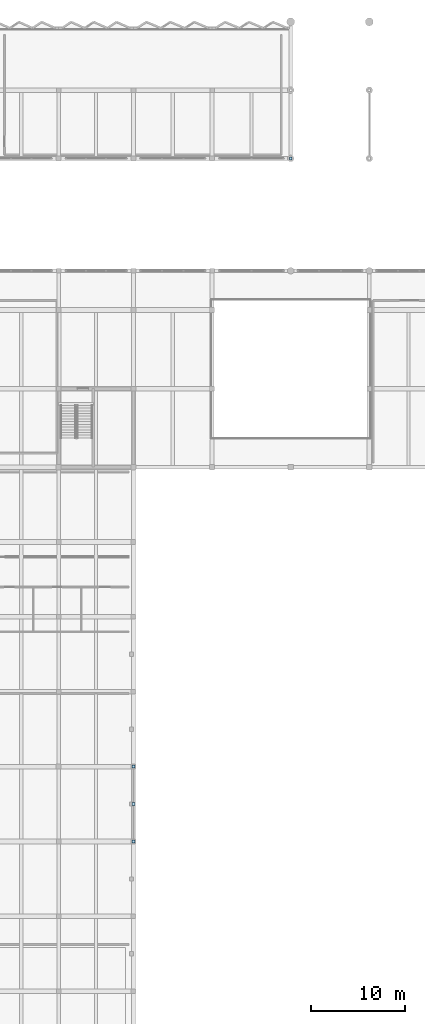
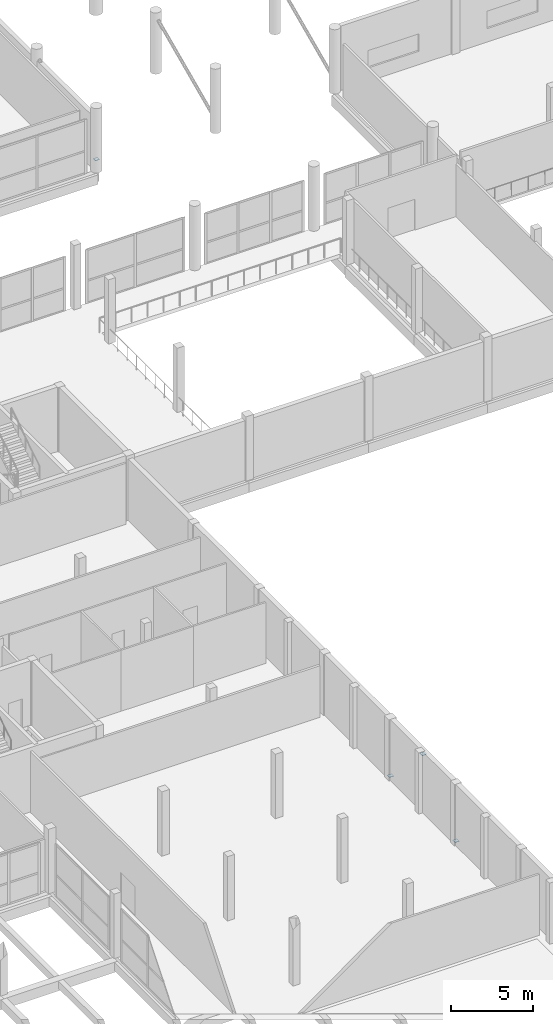
# One storey, part 30 of 47: 4 plates.
"""IFC4 building model written with IfcOpenShell, lengths in metres."""

from ifc_helpers import new_model, si_unit, direction, frame, origin, origin_2d, place, context, subcontext, project, spatial, rectangle, extrude, material, layer, layer_set, type_object, element, save


model = new_model("IFC4")

# Units and contexts
model_context = context("Model", 3, precision=1e-05, world=origin(), true_north=direction((0.0, 1.0)))
body_context = subcontext(model_context, "Body", "Model", "MODEL_VIEW")
ifc_project = project(units=[si_unit("LENGTHUNIT", "METRE"), si_unit("AREAUNIT", "SQUARE_METRE"), si_unit("VOLUMEUNIT", "CUBIC_METRE"), si_unit("PLANEANGLEUNIT", "RADIAN"), si_unit("MASSUNIT", "GRAM", prefix="KILO")], contexts=[model_context])

# Site, building, storey
site_placement = place(None, origin())
site = spatial("IfcSite", under=ifc_project, at=site_placement, CompositionType="ELEMENT")
building_placement = place(site_placement, origin())
building = spatial("IfcBuilding", under=site, at=building_placement, Name="Vharandega Faculty of Natural Sciences", CompositionType="ELEMENT")
storey_placement = place(building_placement, frame((0.0, 0.0, 5.39990234375)))
storey = spatial("IfcBuildingStorey", under=building, at=storey_placement, Name="L01", CompositionType="ELEMENT", Elevation=5.39990234375)

# Plates
ifc_material = material(Name="Steel S355", Category="steel")
ifc_layer = layer(ifc_material, 0.02490234375, Name="Steel S355")
ifc_layer_set = layer_set([ifc_layer], Name="Steel S355")
plate_type = type_object("IfcPlateType", Name="Hollow Section End Cap Plate 25mm", PredefinedType="USERDEFINED", material=ifc_layer_set)
plate_1_placement = place(storey_placement, frame((56.0, 24.0, 0.1376953125), z_axis=(0.0, 0.0, 1.0), x_axis=(1.0, 0.0, 0.0)))
element("IfcPlate", 1, at=plate_1_placement, inside=storey, type_object=plate_type, Name="Node Cap Plate CHV-E8-L01 #122", ObjectType="CAP PLATE", PredefinedType="USERDEFINED", context=body_context, shape_type="SweptSolid", body=[
    extrude(rectangle(XDim=0.300048828125, YDim=0.300048828125, at=origin_2d()), origin(), (0.0, 0.0, 1.0), 0.02490234375),
])
plate_2_placement = place(storey_placement, frame((56.0, 28.0, 4.19775390625), z_axis=(0.0, 0.0, 1.0), x_axis=(1.0, 0.0, 0.0)))
element("IfcPlate", 2, at=plate_2_placement, inside=storey, type_object=plate_type, Name="Node Cap Plate CHV-E8-L01 #123", ObjectType="CAP PLATE", PredefinedType="USERDEFINED", context=body_context, shape_type="SweptSolid", body=[
    extrude(rectangle(XDim=0.320068359375, YDim=0.320068359375, at=origin_2d()), origin(), (0.0, 0.0, 1.0), 0.02490234375),
])
plate_3_placement = place(storey_placement, frame((56.0, 32.0, 0.1376953125), z_axis=(0.0, 0.0, 1.0), x_axis=(1.0, 0.0, 0.0)))
element("IfcPlate", 3, at=plate_3_placement, inside=storey, type_object=plate_type, Name="Node Cap Plate CHV-E8-L01 #124", ObjectType="CAP PLATE", PredefinedType="USERDEFINED", context=body_context, shape_type="SweptSolid", body=[
    extrude(rectangle(XDim=0.300048828125, YDim=0.300048828125, at=origin_2d()), origin(), (0.0, 0.0, 1.0), 0.02490234375),
])
plate_4_placement = place(storey_placement, frame((72.800048828125, 97.0, 0.78759765625), z_axis=(0.0, 0.0, 1.0), x_axis=(1.0, 0.0, 0.0)))
element("IfcPlate", 4, at=plate_4_placement, inside=storey, type_object=plate_type, Name="Node Cap Plate V6-10 #125", ObjectType="CAP PLATE", PredefinedType="USERDEFINED", context=body_context, shape_type="SweptSolid", body=[
    extrude(rectangle(XDim=0.280029296875, YDim=0.280029296875, at=origin_2d()), origin(), (0.0, 0.0, 1.0), 0.02490234375),
])

save(model, "model.ifc")
